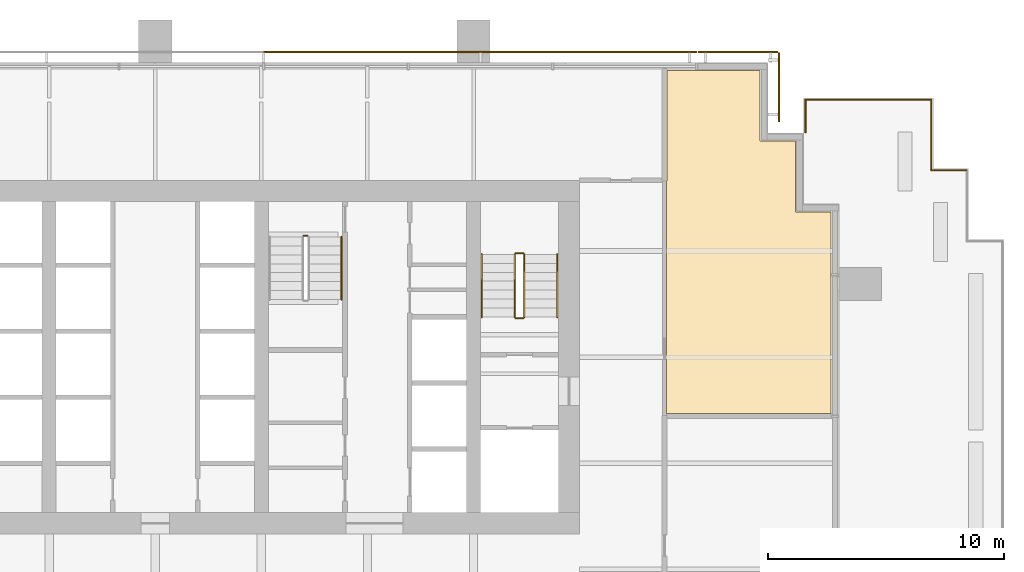
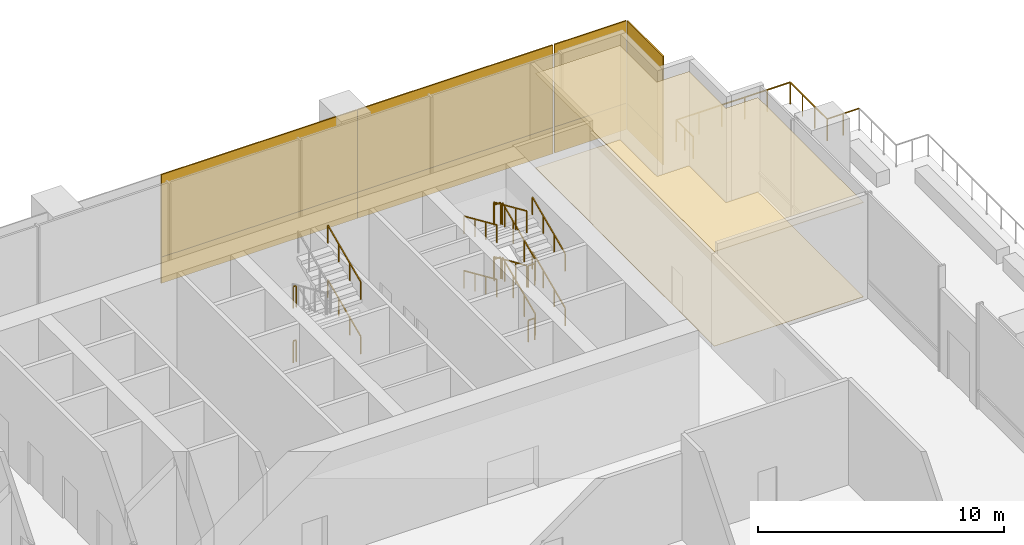
# One storey, part 13 of 14: 20 railings, 10 coverings.
"""IFC4 building model written with IfcOpenShell, lengths in metres."""

from ifc_helpers import new_model, si_unit, direction, frame, origin, origin_2d, place, context, subcontext, project, spatial, polyline, rectangle, outline, extrude, material, layer, layer_set, type_object, element, save


model = new_model("IFC4")

# Units and contexts
model_context = context("Model", 3, precision=1e-05, world=origin(), true_north=direction((0.0, 1.0)))
body_context = subcontext(model_context, "Body", "Model", "MODEL_VIEW")
ifc_project = project(units=[si_unit("LENGTHUNIT", "METRE"), si_unit("AREAUNIT", "SQUARE_METRE"), si_unit("VOLUMEUNIT", "CUBIC_METRE"), si_unit("PLANEANGLEUNIT", "RADIAN"), si_unit("MASSUNIT", "GRAM", prefix="KILO")], contexts=[model_context])

# Site, building, storey
site_placement = place(None, origin())
site = spatial("IfcSite", under=ifc_project, at=site_placement, CompositionType="ELEMENT")
building_placement = place(site_placement, origin())
building = spatial("IfcBuilding", under=site, at=building_placement, Name="Rattan Terrace Tower", CompositionType="ELEMENT")
storey_placement = place(building_placement, frame((0.0, 0.0, 120.699951171875)))
storey = spatial("IfcBuildingStorey", under=building, at=storey_placement, Name="L27", CompositionType="ELEMENT", Elevation=120.699951171875)

# Railings
ifc_material_1 = material(Name="Powder-coated steel guard", Category="steel")
railing_type_1 = type_object("IfcRailingType", Name="Core stair guard", PredefinedType="GUARDRAIL", material=ifc_material_1)
railing_1_placement = place(storey_placement, frame((15.64990234375, 1.699951171875, 0.168701171875)))
element("IfcRailing", 1, at=railing_1_placement, inside=storey, type_object=railing_type_1, Name="L27 S2 stair guard 1", PredefinedType="GUARDRAIL", context=body_context, shape_type="SweptSolid", body=[
    extrude(rectangle(XDim=0.048095703125, YDim=0.048095703125, at=origin_2d()), frame((0.0, 0.0, 1.076171875), z_axis=(0.0, 0.913925654661, 0.405881630223), x_axis=(-1.0, 0.0, 0.0)), (0.0, 0.0, 1.0), 2.91064453125),
    extrude(rectangle(XDim=0.0419921875, YDim=0.0419921875, at=origin_2d()), origin(), (0.0, 0.0, 1.0), 1.052001953125),
    extrude(rectangle(XDim=0.0419921875, YDim=0.0419921875, at=origin_2d()), frame((0.0, 0.88671875, 0.393798828125)), (0.0, 0.0, 1.0), 1.052001953125),
    extrude(rectangle(XDim=0.0419921875, YDim=0.0419921875, at=origin_2d()), frame((0.0, 1.7734375, 0.78759765625)), (0.0, 0.0, 1.0), 1.052001953125),
    extrude(rectangle(XDim=0.0419921875, YDim=0.0419921875, at=origin_2d()), frame((0.0, 2.66015625, 1.181396484375)), (0.0, 0.0, 1.0), 1.052001953125),
])
railing_2_placement = place(storey_placement, frame((15.60009765625, 4.409912109375, 1.35009765625)))
element("IfcRailing", 2, at=railing_2_placement, inside=storey, type_object=railing_type_1, Name="L27 S2 stair guard 2", PredefinedType="GUARDRAIL", context=body_context, shape_type="SweptSolid", body=[
    extrude(rectangle(XDim=0.048095703125, YDim=0.048095703125, at=origin_2d()), frame((0.0, 0.0, 1.076171875), z_axis=(-1.0, 0.0, 0.0), x_axis=(0.0, -1.0, 0.0)), (0.0, 0.0, 1.0), 0.300048828125),
    extrude(rectangle(XDim=0.0419921875, YDim=0.0419921875, at=origin_2d()), origin(), (0.0, 0.0, 1.0), 1.052001953125),
    extrude(rectangle(XDim=0.0419921875, YDim=0.0419921875, at=origin_2d()), frame((-0.300048828125, 0.0, 0.0)), (0.0, 0.0, 1.0), 1.052001953125),
])
railing_3_placement = place(storey_placement, frame((15.25, 4.360107421875, 1.518798828125)))
element("IfcRailing", 3, at=railing_3_placement, inside=storey, type_object=railing_type_1, Name="L27 S2 stair guard 3", PredefinedType="GUARDRAIL", context=body_context, shape_type="SweptSolid", body=[
    extrude(rectangle(XDim=0.048095703125, YDim=0.048095703125, at=origin_2d()), frame((0.0, 0.0, 1.076171875), z_axis=(0.0, -0.913956766905, 0.405811567391), x_axis=(1.0, 0.0, 0.0)), (0.0, 0.0, 1.0), 2.91064453125),
    extrude(rectangle(XDim=0.0419921875, YDim=0.0419921875, at=origin_2d()), origin(), (0.0, 0.0, 1.0), 1.052001953125),
    extrude(rectangle(XDim=0.0419921875, YDim=0.0419921875, at=origin_2d()), frame((0.0, -0.88671875, 0.393798828125)), (0.0, 0.0, 1.0), 1.052001953125),
    extrude(rectangle(XDim=0.0419921875, YDim=0.0419921875, at=origin_2d()), frame((0.0, -1.7734375, 0.787353515625)), (0.0, 0.0, 1.0), 1.052001953125),
    extrude(rectangle(XDim=0.0419921875, YDim=0.0419921875, at=origin_2d()), frame((0.0, -2.66015625, 1.18115234375)), (0.0, 0.0, 1.0), 1.052001953125),
])
railing_4_placement = place(storey_placement, frame((15.60009765625, 1.64990234375, 2.699951171875)))
element("IfcRailing", 4, at=railing_4_placement, inside=storey, type_object=railing_type_1, Name="L27 S2 stair guard 4", PredefinedType="GUARDRAIL", context=body_context, shape_type="SweptSolid", body=[
    extrude(rectangle(XDim=0.048095703125, YDim=0.048095703125, at=origin_2d()), frame((0.0, 0.0, 1.076171875), z_axis=(-1.0, 0.0, 0.0), x_axis=(0.0, -1.0, 0.0)), (0.0, 0.0, 1.0), 0.300048828125),
    extrude(rectangle(XDim=0.0419921875, YDim=0.0419921875, at=origin_2d()), origin(), (0.0, 0.0, 1.0), 1.052001953125),
    extrude(rectangle(XDim=0.0419921875, YDim=0.0419921875, at=origin_2d()), frame((-0.300048828125, 0.0, 0.0)), (0.0, 0.0, 1.0), 1.052001953125),
])
railing_5_placement = place(storey_placement, frame((15.64990234375, 1.699951171875, 2.868896484375)))
element("IfcRailing", 5, at=railing_5_placement, inside=storey, type_object=railing_type_1, Name="L27 S2 stair guard 5", PredefinedType="GUARDRAIL", context=body_context, shape_type="SweptSolid", body=[
    extrude(rectangle(XDim=0.048095703125, YDim=0.048095703125, at=origin_2d()), frame((0.0, 0.0, 1.076171875), z_axis=(0.0, 0.913956766905, 0.405811567391), x_axis=(-1.0, 0.0, 0.0)), (0.0, 0.0, 1.0), 2.91064453125),
    extrude(rectangle(XDim=0.0419921875, YDim=0.0419921875, at=origin_2d()), origin(), (0.0, 0.0, 1.0), 1.052001953125),
    extrude(rectangle(XDim=0.0419921875, YDim=0.0419921875, at=origin_2d()), frame((0.0, 0.88671875, 0.393798828125)), (0.0, 0.0, 1.0), 1.052001953125),
    extrude(rectangle(XDim=0.0419921875, YDim=0.0419921875, at=origin_2d()), frame((0.0, 1.7734375, 0.787353515625)), (0.0, 0.0, 1.0), 1.052001953125),
    extrude(rectangle(XDim=0.0419921875, YDim=0.0419921875, at=origin_2d()), frame((0.0, 2.66015625, 1.18115234375)), (0.0, 0.0, 1.0), 1.052001953125),
])
railing_6_placement = place(storey_placement, frame((15.60009765625, 4.409912109375, 4.050048828125)))
element("IfcRailing", 6, at=railing_6_placement, inside=storey, type_object=railing_type_1, Name="L27 S2 stair guard 6", PredefinedType="GUARDRAIL", context=body_context, shape_type="SweptSolid", body=[
    extrude(rectangle(XDim=0.048095703125, YDim=0.048095703125, at=origin_2d()), frame((0.0, 0.0, 1.076171875), z_axis=(-1.0, 0.0, 0.0), x_axis=(0.0, -1.0, 0.0)), (0.0, 0.0, 1.0), 0.300048828125),
    extrude(rectangle(XDim=0.0419921875, YDim=0.0419921875, at=origin_2d()), origin(), (0.0, 0.0, 1.0), 1.052001953125),
    extrude(rectangle(XDim=0.0419921875, YDim=0.0419921875, at=origin_2d()), frame((-0.300048828125, 0.0, 0.0)), (0.0, 0.0, 1.0), 1.052001953125),
])
railing_7_placement = place(storey_placement, frame((15.25, 4.360107421875, 4.21875)))
element("IfcRailing", 7, at=railing_7_placement, inside=storey, type_object=railing_type_1, Name="L27 S2 stair guard 7", PredefinedType="GUARDRAIL", context=body_context, shape_type="SweptSolid", body=[
    extrude(rectangle(XDim=0.048095703125, YDim=0.048095703125, at=origin_2d()), frame((0.0, 0.0, 1.076171875), z_axis=(0.0, -0.913925654661, 0.405881630223), x_axis=(1.0, 0.0, 0.0)), (0.0, 0.0, 1.0), 2.91064453125),
    extrude(rectangle(XDim=0.0419921875, YDim=0.0419921875, at=origin_2d()), origin(), (0.0, 0.0, 1.0), 1.052001953125),
    extrude(rectangle(XDim=0.0419921875, YDim=0.0419921875, at=origin_2d()), frame((0.0, -0.88671875, 0.393798828125)), (0.0, 0.0, 1.0), 1.052001953125),
    extrude(rectangle(XDim=0.0419921875, YDim=0.0419921875, at=origin_2d()), frame((0.0, -1.7734375, 0.78759765625)), (0.0, 0.0, 1.0), 1.052001953125),
    extrude(rectangle(XDim=0.0419921875, YDim=0.0419921875, at=origin_2d()), frame((0.0, -2.66015625, 1.181396484375)), (0.0, 0.0, 1.0), 1.052001953125),
])
railing_8_placement = place(storey_placement, frame((15.60009765625, 1.64990234375, 0.0)))
element("IfcRailing", 8, at=railing_8_placement, inside=storey, type_object=railing_type_1, Name="L27 S2 stair guard 8", PredefinedType="GUARDRAIL", context=body_context, shape_type="SweptSolid", body=[
    extrude(rectangle(XDim=0.048095703125, YDim=0.048095703125, at=origin_2d()), frame((0.0, 0.0, 1.076171875), z_axis=(-1.0, 0.0, 0.0), x_axis=(0.0, -1.0, 0.0)), (0.0, 0.0, 1.0), 0.300048828125),
    extrude(rectangle(XDim=0.0419921875, YDim=0.0419921875, at=origin_2d()), origin(), (0.0, 0.0, 1.0), 1.052001953125),
    extrude(rectangle(XDim=0.0419921875, YDim=0.0419921875, at=origin_2d()), frame((-0.300048828125, 0.0, 0.0)), (0.0, 0.0, 1.0), 1.052001953125),
])
for number, where, name in (
    (9, (6.300048828125, 5.14990234375, 2.699951171875), "L27 S3 stair guard 4"),
    (10, (6.300048828125, 5.14990234375, 0.0), "L27 S3 stair guard 8"),
):
    element("IfcRailing", number, at=place(storey_placement, frame(where)), inside=storey, type_object=railing_type_1, Name=name, PredefinedType="GUARDRAIL", context=body_context, shape_type="SweptSolid", body=[
        extrude(rectangle(XDim=0.048095703125, YDim=0.048095703125, at=origin_2d()), frame((0.0, 0.0, 1.076171875), z_axis=(1.0, 0.0, 0.0), x_axis=(0.0, 1.0, 0.0)), (0.0, 0.0, 1.0), 0.14990234375),
        extrude(rectangle(XDim=0.0419921875, YDim=0.0419921875, at=origin_2d()), origin(), (0.0, 0.0, 1.0), 1.052001953125),
        extrude(rectangle(XDim=0.0419921875, YDim=0.0419921875, at=origin_2d()), frame((0.14990234375, 0.0, 0.0)), (0.0, 0.0, 1.0), 1.052001953125),
    ])
ifc_material_2 = material(Name="Powder-coated steel handrail", Category="steel")
railing_type_2 = type_object("IfcRailingType", Name="Core stair handrail", PredefinedType="HANDRAIL", material=ifc_material_2)
railing_9_placement = place(storey_placement, frame((17.050048828125, 1.699951171875, 0.168701171875)))
element("IfcRailing", 11, at=railing_9_placement, inside=storey, type_object=railing_type_2, Name="L27 S2 stair handrail 1", PredefinedType="HANDRAIL", context=body_context, shape_type="SweptSolid", body=[
    extrude(rectangle(XDim=0.048095703125, YDim=0.048095703125, at=origin_2d()), frame((0.0, 0.0, 0.8759765625), z_axis=(0.0, 0.913925654661, 0.405881630223), x_axis=(-1.0, 0.0, 0.0)), (0.0, 0.0, 1.0), 2.91064453125),
    extrude(rectangle(XDim=0.0419921875, YDim=0.0419921875, at=origin_2d()), origin(), (0.0, 0.0, 1.0), 0.851806640625),
    extrude(rectangle(XDim=0.0419921875, YDim=0.0419921875, at=origin_2d()), frame((0.0, 0.88671875, 0.393798828125)), (0.0, 0.0, 1.0), 0.851806640625),
    extrude(rectangle(XDim=0.0419921875, YDim=0.0419921875, at=origin_2d()), frame((0.0, 1.7734375, 0.78759765625)), (0.0, 0.0, 1.0), 0.851806640625),
    extrude(rectangle(XDim=0.0419921875, YDim=0.0419921875, at=origin_2d()), frame((0.0, 2.66015625, 1.181396484375)), (0.0, 0.0, 1.0), 0.851806640625),
])
railing_10_placement = place(storey_placement, frame((13.85009765625, 4.360107421875, 1.518798828125)))
element("IfcRailing", 12, at=railing_10_placement, inside=storey, type_object=railing_type_2, Name="L27 S2 stair handrail 2", PredefinedType="HANDRAIL", context=body_context, shape_type="SweptSolid", body=[
    extrude(rectangle(XDim=0.048095703125, YDim=0.048095703125, at=origin_2d()), frame((0.0, 0.0, 0.8759765625), z_axis=(0.0, -0.913956766905, 0.405811567391), x_axis=(1.0, 0.0, 0.0)), (0.0, 0.0, 1.0), 2.91064453125),
    extrude(rectangle(XDim=0.0419921875, YDim=0.0419921875, at=origin_2d()), origin(), (0.0, 0.0, 1.0), 0.851806640625),
    extrude(rectangle(XDim=0.0419921875, YDim=0.0419921875, at=origin_2d()), frame((0.0, -0.88671875, 0.393798828125)), (0.0, 0.0, 1.0), 0.851806640625),
    extrude(rectangle(XDim=0.0419921875, YDim=0.0419921875, at=origin_2d()), frame((0.0, -1.7734375, 0.787353515625)), (0.0, 0.0, 1.0), 0.851806640625),
    extrude(rectangle(XDim=0.0419921875, YDim=0.0419921875, at=origin_2d()), frame((0.0, -2.66015625, 1.18115234375)), (0.0, 0.0, 1.0), 0.851806640625),
])
railing_11_placement = place(storey_placement, frame((17.050048828125, 1.699951171875, 2.868896484375)))
element("IfcRailing", 13, at=railing_11_placement, inside=storey, type_object=railing_type_2, Name="L27 S2 stair handrail 3", PredefinedType="HANDRAIL", context=body_context, shape_type="SweptSolid", body=[
    extrude(rectangle(XDim=0.048095703125, YDim=0.048095703125, at=origin_2d()), frame((0.0, 0.0, 0.8759765625), z_axis=(0.0, 0.913956766905, 0.405811567391), x_axis=(-1.0, 0.0, 0.0)), (0.0, 0.0, 1.0), 2.91064453125),
    extrude(rectangle(XDim=0.0419921875, YDim=0.0419921875, at=origin_2d()), origin(), (0.0, 0.0, 1.0), 0.851806640625),
    extrude(rectangle(XDim=0.0419921875, YDim=0.0419921875, at=origin_2d()), frame((0.0, 0.88671875, 0.393798828125)), (0.0, 0.0, 1.0), 0.851806640625),
    extrude(rectangle(XDim=0.0419921875, YDim=0.0419921875, at=origin_2d()), frame((0.0, 1.7734375, 0.787353515625)), (0.0, 0.0, 1.0), 0.851806640625),
    extrude(rectangle(XDim=0.0419921875, YDim=0.0419921875, at=origin_2d()), frame((0.0, 2.66015625, 1.18115234375)), (0.0, 0.0, 1.0), 0.851806640625),
])
railing_12_placement = place(storey_placement, frame((13.85009765625, 4.360107421875, 4.21875)))
element("IfcRailing", 14, at=railing_12_placement, inside=storey, type_object=railing_type_2, Name="L27 S2 stair handrail 4", PredefinedType="HANDRAIL", context=body_context, shape_type="SweptSolid", body=[
    extrude(rectangle(XDim=0.048095703125, YDim=0.048095703125, at=origin_2d()), frame((0.0, 0.0, 0.8759765625), z_axis=(0.0, -0.913925654661, 0.405881630223), x_axis=(1.0, 0.0, 0.0)), (0.0, 0.0, 1.0), 2.91064453125),
    extrude(rectangle(XDim=0.0419921875, YDim=0.0419921875, at=origin_2d()), origin(), (0.0, 0.0, 1.0), 0.851806640625),
    extrude(rectangle(XDim=0.0419921875, YDim=0.0419921875, at=origin_2d()), frame((0.0, -0.88671875, 0.393798828125)), (0.0, 0.0, 1.0), 0.851806640625),
    extrude(rectangle(XDim=0.0419921875, YDim=0.0419921875, at=origin_2d()), frame((0.0, -1.7734375, 0.78759765625)), (0.0, 0.0, 1.0), 0.851806640625),
    extrude(rectangle(XDim=0.0419921875, YDim=0.0419921875, at=origin_2d()), frame((0.0, -2.66015625, 1.181396484375)), (0.0, 0.0, 1.0), 0.851806640625),
])
railing_13_placement = place(storey_placement, frame((7.89990234375, 2.43994140625, 1.518798828125)))
element("IfcRailing", 15, at=railing_13_placement, inside=storey, type_object=railing_type_2, Name="L27 S3 stair handrail 2", PredefinedType="HANDRAIL", context=body_context, shape_type="SweptSolid", body=[
    extrude(rectangle(XDim=0.048095703125, YDim=0.048095703125, at=origin_2d()), frame((0.0, 0.0, 0.8759765625), z_axis=(0.0, 0.913956766905, 0.405811567391), x_axis=(-1.0, 0.0, 0.0)), (0.0, 0.0, 1.0), 2.91064453125),
    extrude(rectangle(XDim=0.0419921875, YDim=0.0419921875, at=origin_2d()), origin(), (0.0, 0.0, 1.0), 0.851806640625),
    extrude(rectangle(XDim=0.0419921875, YDim=0.0419921875, at=origin_2d()), frame((0.0, 0.88671875, 0.393798828125)), (0.0, 0.0, 1.0), 0.851806640625),
    extrude(rectangle(XDim=0.0419921875, YDim=0.0419921875, at=origin_2d()), frame((0.0, 1.7734375, 0.787353515625)), (0.0, 0.0, 1.0), 0.851806640625),
    extrude(rectangle(XDim=0.0419921875, YDim=0.0419921875, at=origin_2d()), frame((0.0, 2.66015625, 1.18115234375)), (0.0, 0.0, 1.0), 0.851806640625),
])
railing_14_placement = place(storey_placement, frame((7.89990234375, 2.43994140625, 4.21875)))
element("IfcRailing", 16, at=railing_14_placement, inside=storey, type_object=railing_type_2, Name="L27 S3 stair handrail 4", PredefinedType="HANDRAIL", context=body_context, shape_type="SweptSolid", body=[
    extrude(rectangle(XDim=0.048095703125, YDim=0.048095703125, at=origin_2d()), frame((0.0, 0.0, 0.8759765625), z_axis=(0.0, 0.913925654661, 0.405881630223), x_axis=(-1.0, 0.0, 0.0)), (0.0, 0.0, 1.0), 2.91064453125),
    extrude(rectangle(XDim=0.0419921875, YDim=0.0419921875, at=origin_2d()), origin(), (0.0, 0.0, 1.0), 0.851806640625),
    extrude(rectangle(XDim=0.0419921875, YDim=0.0419921875, at=origin_2d()), frame((0.0, 0.88671875, 0.393798828125)), (0.0, 0.0, 1.0), 0.851806640625),
    extrude(rectangle(XDim=0.0419921875, YDim=0.0419921875, at=origin_2d()), frame((0.0, 1.7734375, 0.78759765625)), (0.0, 0.0, 1.0), 0.851806640625),
    extrude(rectangle(XDim=0.0419921875, YDim=0.0419921875, at=origin_2d()), frame((0.0, 2.66015625, 1.181396484375)), (0.0, 0.0, 1.0), 0.851806640625),
])
ifc_material_3 = material(Name="Stainless steel 316", Category="steel")
railing_type_3 = type_object("IfcRailingType", Name="Facade Guard 1100", PredefinedType="GUARDRAIL", material=ifc_material_3)
railing_15_placement = place(storey_placement, frame((27.580078125, 9.528076171875, 0.0)))
element("IfcRailing", 17, at=railing_15_placement, inside=storey, type_object=railing_type_3, Name="Terrace guard L27-1-1", PredefinedType="GUARDRAIL", context=body_context, shape_type="SweptSolid", body=[
    extrude(rectangle(XDim=0.048095703125, YDim=0.048095703125, at=origin_2d()), frame((0.0, 0.0, 1.076171875), z_axis=(0.0, 1.0, 0.0), x_axis=(-1.0, 0.0, 0.0)), (0.0, 0.0, 1.0), 1.391845703125),
    extrude(rectangle(XDim=0.0419921875, YDim=0.0419921875, at=origin_2d()), origin(), (0.0, 0.0, 1.0), 1.052001953125),
    extrude(rectangle(XDim=0.0419921875, YDim=0.0419921875, at=origin_2d()), frame((0.0, 0.69580078125, 0.0)), (0.0, 0.0, 1.0), 1.052001953125),
])
railing_16_placement = place(storey_placement, frame((27.580078125, 10.919921875, 0.0)))
element("IfcRailing", 18, at=railing_16_placement, inside=storey, type_object=railing_type_3, Name="Terrace guard L27-1-2", PredefinedType="GUARDRAIL", context=body_context, shape_type="SweptSolid", body=[
    extrude(rectangle(XDim=0.048095703125, YDim=0.048095703125, at=origin_2d()), frame((0.0, 0.0, 1.076171875), z_axis=(1.0, 0.0, 0.0), x_axis=(0.0, 1.0, 0.0)), (0.0, 0.0, 1.0), 5.33984375),
    extrude(rectangle(XDim=0.0419921875, YDim=0.0419921875, at=origin_2d()), origin(), (0.0, 0.0, 1.0), 1.052001953125),
    extrude(rectangle(XDim=0.0419921875, YDim=0.0419921875, at=origin_2d()), frame((1.06787109375, 0.0, 0.0)), (0.0, 0.0, 1.0), 1.052001953125),
    extrude(rectangle(XDim=0.0419921875, YDim=0.0419921875, at=origin_2d()), frame((2.135986328125, 0.0, 0.0)), (0.0, 0.0, 1.0), 1.052001953125),
    extrude(rectangle(XDim=0.0419921875, YDim=0.0419921875, at=origin_2d()), frame((3.203857421875, 0.0, 0.0)), (0.0, 0.0, 1.0), 1.052001953125),
    extrude(rectangle(XDim=0.0419921875, YDim=0.0419921875, at=origin_2d()), frame((4.27197265625, 0.0, 0.0)), (0.0, 0.0, 1.0), 1.052001953125),
])
railing_17_placement = place(storey_placement, frame((32.919921875, 10.919921875, 0.0)))
element("IfcRailing", 19, at=railing_17_placement, inside=storey, type_object=railing_type_3, Name="Terrace guard L27-1-3", PredefinedType="GUARDRAIL", context=body_context, shape_type="SweptSolid", body=[
    extrude(rectangle(XDim=0.048095703125, YDim=0.048095703125, at=origin_2d()), frame((0.0, 0.0, 1.076171875), z_axis=(0.0, -1.0, 0.0), x_axis=(1.0, 0.0, 0.0)), (0.0, 0.0, 1.0), 3.0),
    extrude(rectangle(XDim=0.0419921875, YDim=0.0419921875, at=origin_2d()), origin(), (0.0, 0.0, 1.0), 1.052001953125),
    extrude(rectangle(XDim=0.0419921875, YDim=0.0419921875, at=origin_2d()), frame((0.0, -1.0, 0.0)), (0.0, 0.0, 1.0), 1.052001953125),
    extrude(rectangle(XDim=0.0419921875, YDim=0.0419921875, at=origin_2d()), frame((0.0, -2.0, 0.0)), (0.0, 0.0, 1.0), 1.052001953125),
])
railing_18_placement = place(storey_placement, frame((32.919921875, 7.919921875, 0.0)))
element("IfcRailing", 20, at=railing_18_placement, inside=storey, type_object=railing_type_3, Name="Terrace guard L27-1-4", PredefinedType="GUARDRAIL", context=body_context, shape_type="SweptSolid", body=[
    extrude(rectangle(XDim=0.048095703125, YDim=0.048095703125, at=origin_2d()), frame((0.0, 0.0, 1.076171875), z_axis=(1.0, 0.0, 0.0), x_axis=(0.0, 1.0, 0.0)), (0.0, 0.0, 1.0), 1.5),
    extrude(rectangle(XDim=0.0419921875, YDim=0.0419921875, at=origin_2d()), origin(), (0.0, 0.0, 1.0), 1.052001953125),
    extrude(rectangle(XDim=0.0419921875, YDim=0.0419921875, at=origin_2d()), frame((0.75, 0.0, 0.0)), (0.0, 0.0, 1.0), 1.052001953125),
])

# Coverings
ifc_material_4 = material(Name="Solid terracotta", Category="masonry")
ifc_layer_1 = layer(ifc_material_4, 0.06005859375)
ifc_layer_set_1 = layer_set([ifc_layer_1], Name="Facade Terracotta Band Panel")
covering_type_1 = type_object("IfcCoveringType", Name="Facade Terracotta Band Panel", PredefinedType="CLADDING", material=ifc_layer_set_1)
covering_1_placement = place(storey_placement, frame((26.449951171875, 11.449951171875, -0.18994140625), z_axis=(0.0, 0.0, 1.0), x_axis=(0.0, 1.0, 0.0)))
element("IfcCovering", 21, at=covering_1_placement, inside=storey, type_object=covering_type_1, Name="OUTER SKIN panel L27-1A", PredefinedType="CLADDING", context=body_context, shape_type="SweptSolid", body=[
    extrude(rectangle(XDim=2.919921875, YDim=0.06005859375, at=origin_2d()), origin(), (0.0, 0.0, 1.0), 1.300048828125),
])
covering_2_placement = place(storey_placement, frame((24.72509765625, 12.949951171875, -0.18994140625), z_axis=(0.0, 0.0, 1.0), x_axis=(-1.0, 0.0, 0.0)))
element("IfcCovering", 22, at=covering_2_placement, inside=storey, type_object=covering_type_1, Name="OUTER SKIN panel L27-2A", PredefinedType="CLADDING", context=body_context, shape_type="SweptSolid", body=[
    extrude(rectangle(XDim=3.3701171875, YDim=0.06005859375, at=origin_2d()), origin(), (0.0, 0.0, 1.0), 1.300048828125),
])
covering_3_placement = place(storey_placement, frame((18.384521484375, 12.949951171875, -0.18994140625), z_axis=(0.0, 0.0, 1.0), x_axis=(-1.0, 0.0, 0.0)))
element("IfcCovering", 23, at=covering_3_placement, inside=storey, type_object=covering_type_1, Name="OUTER SKIN panel L27-3A", PredefinedType="CLADDING", context=body_context, shape_type="SweptSolid", body=[
    extrude(rectangle(XDim=9.15087890625, YDim=0.06005859375, at=origin_2d()), origin(), (0.0, 0.0, 1.0), 1.300048828125),
])
covering_4_placement = place(storey_placement, frame((9.198486328125, 12.949951171875, -0.18994140625), z_axis=(0.0, 0.0, 1.0), x_axis=(-1.0, 0.0, 0.0)))
element("IfcCovering", 24, at=covering_4_placement, inside=storey, type_object=covering_type_1, Name="OUTER SKIN panel L27-4A", PredefinedType="CLADDING", context=body_context, shape_type="SweptSolid", body=[
    extrude(rectangle(XDim=9.180908203125, YDim=0.06005859375, at=origin_2d()), origin(), (0.0, 0.0, 1.0), 1.300048828125),
])
ifc_material_5 = material(Name="Perforated terracotta", Category="masonry")
ifc_layer_2 = layer(ifc_material_5, 0.06005859375)
ifc_layer_set_2 = layer_set([ifc_layer_2], Name="Facade Terracotta Screen Panel")
covering_type_2 = type_object("IfcCoveringType", Name="Facade Terracotta Screen Panel", PredefinedType="CLADDING", material=ifc_layer_set_2)
covering_5_placement = place(storey_placement, frame((26.449951171875, 11.449951171875, 1.110107421875), z_axis=(0.0, 0.0, 1.0), x_axis=(0.0, 1.0, 0.0)))
element("IfcCovering", 25, at=covering_5_placement, inside=storey, type_object=covering_type_2, Name="OUTER SKIN panel L27-1B", PredefinedType="CLADDING", context=body_context, shape_type="SweptSolid", body=[
    extrude(rectangle(XDim=2.919921875, YDim=0.06005859375, at=origin_2d()), origin(), (0.0, 0.0, 1.0), 4.080078125),
])
covering_6_placement = place(storey_placement, frame((24.72509765625, 12.949951171875, 1.110107421875), z_axis=(0.0, 0.0, 1.0), x_axis=(-1.0, 0.0, 0.0)))
element("IfcCovering", 26, at=covering_6_placement, inside=storey, type_object=covering_type_2, Name="OUTER SKIN panel L27-2B", PredefinedType="CLADDING", context=body_context, shape_type="SweptSolid", body=[
    extrude(rectangle(XDim=3.3701171875, YDim=0.06005859375, at=origin_2d()), origin(), (0.0, 0.0, 1.0), 4.080078125),
])
covering_7_placement = place(storey_placement, frame((18.384521484375, 12.949951171875, 1.110107421875), z_axis=(0.0, 0.0, 1.0), x_axis=(-1.0, 0.0, 0.0)))
element("IfcCovering", 27, at=covering_7_placement, inside=storey, type_object=covering_type_2, Name="OUTER SKIN panel L27-3B", PredefinedType="CLADDING", context=body_context, shape_type="SweptSolid", body=[
    extrude(rectangle(XDim=9.15087890625, YDim=0.06005859375, at=origin_2d()), origin(), (0.0, 0.0, 1.0), 4.080078125),
])
covering_8_placement = place(storey_placement, frame((9.198486328125, 12.949951171875, 1.110107421875), z_axis=(0.0, 0.0, 1.0), x_axis=(-1.0, 0.0, 0.0)))
element("IfcCovering", 28, at=covering_8_placement, inside=storey, type_object=covering_type_2, Name="OUTER SKIN panel L27-4B", PredefinedType="CLADDING", context=body_context, shape_type="SweptSolid", body=[
    extrude(rectangle(XDim=9.180908203125, YDim=0.06005859375, at=origin_2d()), origin(), (0.0, 0.0, 1.0), 4.080078125),
])
ifc_material_6 = material(Name="Polished limestone", Category="masonry")
ifc_layer_3 = layer(ifc_material_6, 0.02001953125)
ifc_layer_set_3 = layer_set([ifc_layer_3], Name="Lobby Floor Finish Stone 20")
covering_type_3 = type_object("IfcCoveringType", Name="Lobby Floor Finish Stone 20", PredefinedType="FLOORING", material=ifc_layer_set_3)
covering_9_placement = place(storey_placement, origin())
element("IfcCovering", 29, at=covering_9_placement, inside=storey, type_object=covering_type_3, Name="Floor finish L27-109", PredefinedType="FLOORING", context=body_context, shape_type="SweptSolid", body=[
    extrude(outline(polyline([(21.675048828125, -2.39990234375), (28.659912109375, -2.39990234375), (28.659912109375, 6.159912109375), (27.159912109375, 6.159912109375), (27.159912109375, 9.159912109375), (25.659912109375, 9.159912109375), (25.659912109375, 12.159912109375), (21.699951171875, 12.159912109375), (21.699951171875, 7.47998046875), (21.675048828125, 7.47998046875), (21.675048828125, -2.39990234375)])), origin(), (0.0, 0.0, 1.0), 0.02001953125),
])
ifc_material_7 = material(Name="Gypsum board, painted")
ifc_layer_4 = layer(ifc_material_7, 0.02490234375)
ifc_layer_set_4 = layer_set([ifc_layer_4], Name="Suspended Ceiling Gypsum 25")
covering_type_4 = type_object("IfcCoveringType", Name="Suspended Ceiling Gypsum 25", PredefinedType="CEILING", material=ifc_layer_set_4)
covering_10_placement = place(storey_placement, frame((0.0, 0.0, 4.675048828125)))
element("IfcCovering", 30, at=covering_10_placement, inside=storey, type_object=covering_type_4, Name="Ceiling L27-109", PredefinedType="CEILING", context=body_context, shape_type="SweptSolid", body=[
    extrude(outline(polyline([(21.675048828125, -2.39990234375), (28.659912109375, -2.39990234375), (28.659912109375, 6.159912109375), (27.159912109375, 6.159912109375), (27.159912109375, 9.159912109375), (25.659912109375, 9.159912109375), (25.659912109375, 12.159912109375), (21.699951171875, 12.159912109375), (21.699951171875, 7.47998046875), (21.675048828125, 7.47998046875), (21.675048828125, -2.39990234375)])), origin(), (0.0, 0.0, 1.0), 0.02490234375),
])

save(model, "model.ifc")
